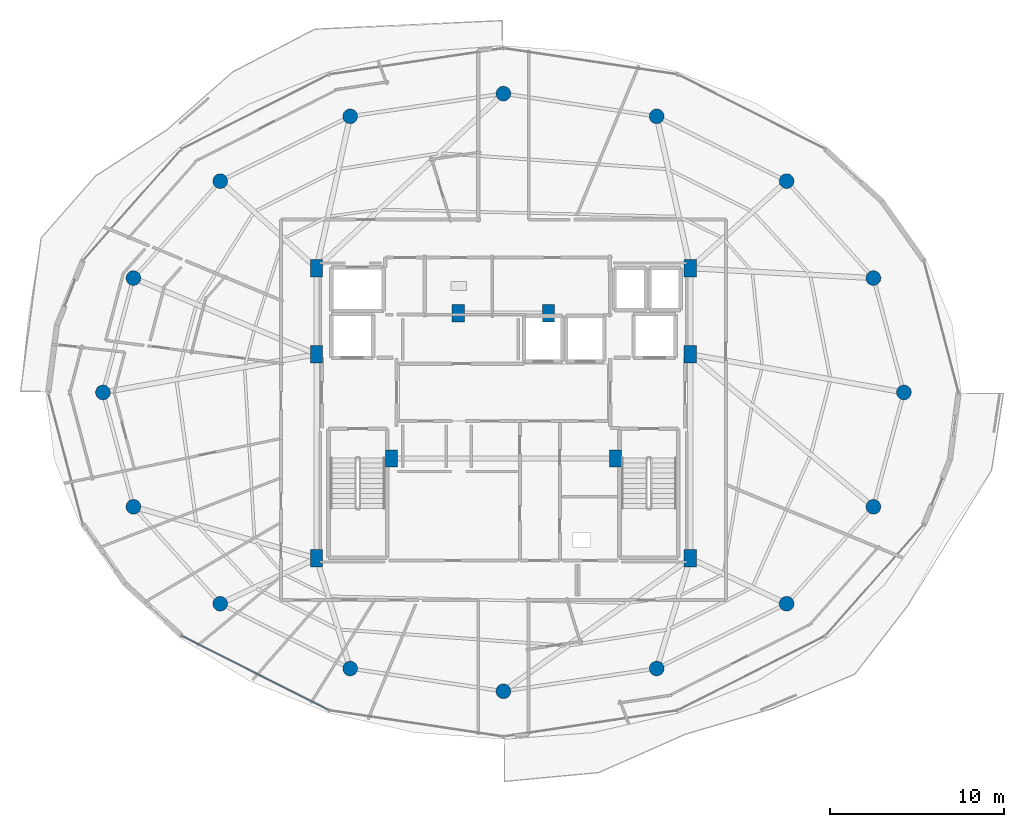
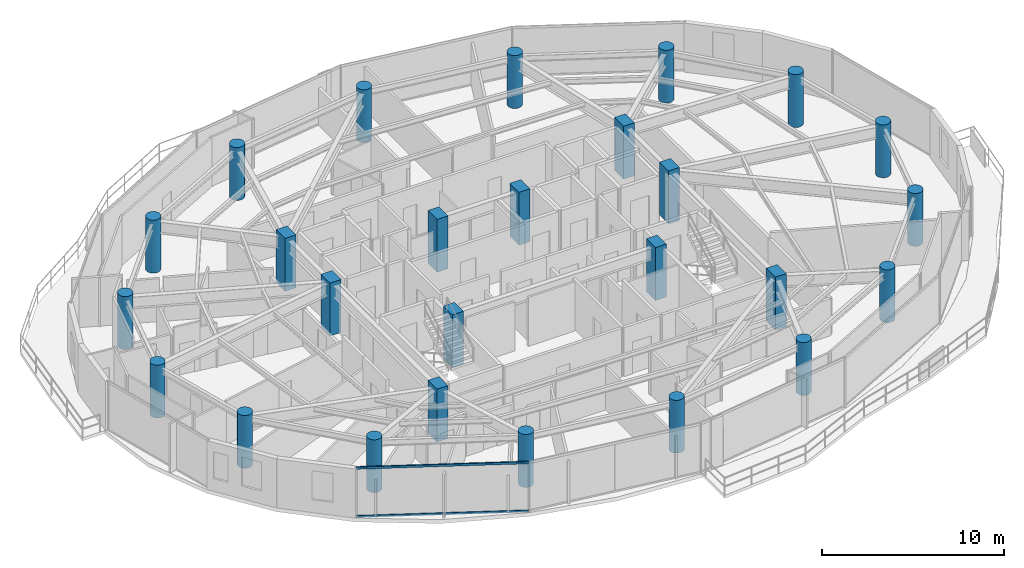
# One storey, part 1 of 30: 26 columns, 2 members, 1 element without a shape of its own.
"""IFC4 building model written with IfcOpenShell, lengths in metres."""

from ifc_helpers import new_model, si_unit, direction, frame, origin, origin_2d, place, context, subcontext, project, spatial, rectangle, hollow_rectangle, circle, extrude, material, material_profile, profile_set, type_object, element, aggregate, save


model = new_model("IFC4")

# Units and contexts
model_context = context("Model", 3, precision=1e-05, world=origin(), true_north=direction((0.0, 1.0)))
body_context = subcontext(model_context, "Body", "Model", "MODEL_VIEW")
ifc_project = project(units=[si_unit("LENGTHUNIT", "METRE"), si_unit("AREAUNIT", "SQUARE_METRE"), si_unit("VOLUMEUNIT", "CUBIC_METRE"), si_unit("PLANEANGLEUNIT", "RADIAN"), si_unit("MASSUNIT", "GRAM", prefix="KILO")], contexts=[model_context])

# Site, building, storey
site_placement = place(None, origin())
site = spatial("IfcSite", under=ifc_project, at=site_placement, CompositionType="ELEMENT")
building_placement = place(site_placement, origin())
building = spatial("IfcBuilding", under=site, at=building_placement, Name="Vorneva Point Tower", CompositionType="ELEMENT")
storey_placement = place(building_placement, frame((0.0, 0.0, 241.35009765625)))
storey = spatial("IfcBuildingStorey", under=building, at=storey_placement, Name="L65", CompositionType="ELEMENT", Elevation=241.35009765625)

# Columns
ifc_material_1 = material(Name="Concrete B50 (C40/50)", Category="concrete")
ifc_material_profile_1 = material_profile(ifc_material_1, circle(Radius=0.425048828125, at=origin_2d()), Name="RC-CIRC 850")
ifc_profile_set_1 = profile_set([ifc_material_profile_1], Name="Concrete B50 (C40/50)")
column_type_1 = type_object("IfcColumnType", Name="COL-RC850C", PredefinedType="COLUMN", material=ifc_profile_set_1)
for number, where, z_axis, x_axis, name in (
    (1, (61.050048828125, 26.0, 0.0), (0.0, 0.0, 1.0), (1.0, 0.0, 0.0), "L65 Perimeter Column P01"),
    (2, (59.29541015625, 32.582275390625, 0.0), (0.0, 0.0, 1.0), (0.923879532511, 0.382683432365, 0.0), "L65 Perimeter Column P02"),
    (3, (54.298828125, 38.162109375, 0.0), (0.0, 0.0, 1.0), (0.707106781187, 0.707106781187, 0.0), "L65 Perimeter Column P03"),
    (4, (46.82080078125, 41.890625, 0.0), (0.0, 0.0, 1.0), (0.382683432365, 0.923879532511, 0.0), "L65 Perimeter Column P04"),
    (5, (38.0, 43.199951171875, 0.0), (0.0, 0.0, 1.0), (0.0, 1.0, 0.0), "L65 Perimeter Column P05"),
    (6, (29.17919921875, 41.890625, 0.0), (0.0, 0.0, 1.0), (-0.382683432365, 0.923879532511, 0.0), "L65 Perimeter Column P06"),
    (7, (21.701171875, 38.162109375, 0.0), (0.0, 0.0, 1.0), (-0.707106781187, 0.707106781187, 0.0), "L65 Perimeter Column P07"),
    (8, (16.70458984375, 32.582275390625, 0.0), (0.0, 0.0, 1.0), (-0.923879532511, 0.382683432365, 0.0), "L65 Perimeter Column P08"),
    (9, (14.949951171875, 26.0, 0.0), (0.0, 0.0, 1.0), (-1.0, 0.0, 0.0), "L65 Perimeter Column P09"),
    (10, (16.70458984375, 19.417724609375, 0.0), (0.0, 0.0, 1.0), (-0.923879532511, -0.382683432365, 0.0), "L65 Perimeter Column P10"),
    (11, (21.701171875, 13.837890625, 0.0), (0.0, 0.0, 1.0), (-0.707106781187, -0.707106781187, 0.0), "L65 Perimeter Column P11"),
    (12, (29.17919921875, 10.109375, 0.0), (0.0, 0.0, 1.0), (-0.382683432365, -0.923879532511, 0.0), "L65 Perimeter Column P12"),
    (13, (38.0, 8.800048828125, 0.0), (0.0, 0.0, 1.0), (0.0, -1.0, 0.0), "L65 Perimeter Column P13"),
    (14, (46.82080078125, 10.109375, 0.0), (0.0, 0.0, 1.0), (0.382683432365, -0.923879532511, 0.0), "L65 Perimeter Column P14"),
    (15, (54.298828125, 13.837890625, 0.0), (0.0, 0.0, 1.0), (0.707106781187, -0.707106781187, 0.0), "L65 Perimeter Column P15"),
    (16, (59.29541015625, 19.417724609375, 0.0), (0.0, 0.0, 1.0), (0.923879532511, -0.382683432365, 0.0), "L65 Perimeter Column P16"),
):
    element("IfcColumn", number, at=place(storey_placement, frame(where, z_axis=z_axis, x_axis=x_axis)), inside=storey, type_object=column_type_1, Name=name, PredefinedType="COLUMN", context=body_context, shape_type="SweptSolid", body=[
        extrude(circle(Radius=0.425048828125, at=origin_2d()), origin(), (0.0, 0.0, 1.0), 3.5498046875),
    ])
ifc_material_profile_2 = material_profile(ifc_material_1, rectangle(XDim=0.699951171875, YDim=1.0, at=origin_2d()), Name="RC-PIL 1000x700")
ifc_profile_set_2 = profile_set([ifc_material_profile_2], Name="Concrete B50 (C40/50)")
column_type_2 = type_object("IfcColumnType", Name="PIL-RC1000x700", PredefinedType="PILASTER", material=ifc_profile_set_2)
for number, where, z_axis, x_axis, name in (
    (17, (27.25, 16.449951171875, 0.0), (0.0, 0.0, 1.0), (1.0, 0.0, 0.0), "L65 Core Pilaster CP1"),
    (18, (27.25, 28.199951171875, 0.0), (0.0, 0.0, 1.0), (1.0, 0.0, 0.0), "L65 Core Pilaster CP2"),
    (19, (27.25, 33.14990234375, 0.0), (0.0, 0.0, 1.0), (1.0, 0.0, 0.0), "L65 Core Pilaster CP3"),
    (20, (31.550048828125, 22.199951171875, 0.0), (0.0, 0.0, 1.0), (1.0, 0.0, 0.0), "L65 Core Pilaster CP4"),
    (21, (48.75, 33.14990234375, 0.0), (0.0, 0.0, 1.0), (1.0, 0.0, 0.0), "L65 Core Pilaster CP5"),
    (22, (48.75, 28.199951171875, 0.0), (0.0, 0.0, 1.0), (1.0, 0.0, 0.0), "L65 Core Pilaster CP6"),
    (23, (48.75, 16.449951171875, 0.0), (0.0, 0.0, 1.0), (1.0, 0.0, 0.0), "L65 Core Pilaster CP7"),
    (24, (44.449951171875, 22.199951171875, 0.0), (0.0, 0.0, 1.0), (1.0, 0.0, 0.0), "L65 Core Pilaster CP8"),
    (25, (35.39990234375, 30.550048828125, 0.0), (0.0, 0.0, 1.0), (1.0, 0.0, 0.0), "L65 Core Pilaster CP9"),
    (26, (40.60009765625, 30.550048828125, 0.0), (0.0, 0.0, 1.0), (1.0, 0.0, 0.0), "L65 Core Pilaster CP10"),
):
    element("IfcColumn", number, at=place(storey_placement, frame(where, z_axis=z_axis, x_axis=x_axis)), inside=storey, type_object=column_type_2, Name=name, PredefinedType="PILASTER", context=body_context, shape_type="SweptSolid", body=[
        extrude(rectangle(XDim=0.699951171875, YDim=1.0, at=origin_2d()), origin(), (0.0, 0.0, 1.0), 3.5498046875),
    ])

# Curtain wall, members
ifc_material_2 = material(Name="Pale anodised aluminium", Category="aluminium")
curtain_wall_type = type_object("IfcCurtainWallType", Name="CW-RES-SYS", PredefinedType="NOTDEFINED", material=ifc_material_2)
curtain_wall_placement = place(storey_placement, origin())
curtain_wall = element("IfcCurtainWall", 27, at=curtain_wall_placement, inside=storey, type_object=curtain_wall_type, Name="L65 Unitised Curtain Wall CW-L65-R04", PredefinedType="NOTDEFINED")
ifc_material_profile_3 = material_profile(ifc_material_2, hollow_rectangle(XDim=0.074951171875, YDim=0.14990234375, WallThickness=0.00390625, at=origin_2d()), Name="AL-TRN 150x75x4")
ifc_profile_set_3 = profile_set([ifc_material_profile_3], Name="Pale anodised aluminium")
member_type = type_object("IfcMemberType", Name="CW-TRN-150", PredefinedType="USERDEFINED", material=ifc_profile_set_3)
member_1_placement = place(storey_placement, frame((19.473876953125, 11.9921875, 0.02001953125), z_axis=(0.892558185815, -0.450932239848, 0.0), x_axis=(0.450932239848, 0.892558185815, 0.0)))
member_1 = element("IfcMember", 28, at=member_1_placement, type_object=member_type, Name="CW-L65-R04 Transom 01.1", ObjectType="TRANSOM", PredefinedType="USERDEFINED", context=body_context, shape_type="SweptSolid", body=[
    extrude(hollow_rectangle(XDim=0.074951171875, YDim=0.14990234375, WallThickness=0.00390625, at=origin_2d()), origin(), (0.0, 0.0, 1.0), 9.52294921875),
])
member_2_placement = place(storey_placement, frame((19.473876953125, 11.9921875, 3.27001953125), z_axis=(0.892558185815, -0.450932239848, 0.0), x_axis=(0.450932239848, 0.892558185815, 0.0)))
member_2 = element("IfcMember", 29, at=member_2_placement, type_object=member_type, Name="CW-L65-R04 Transom 01.2", ObjectType="TRANSOM", PredefinedType="USERDEFINED", context=body_context, shape_type="SweptSolid", body=[
    extrude(hollow_rectangle(XDim=0.074951171875, YDim=0.14990234375, WallThickness=0.00390625, at=origin_2d()), origin(), (0.0, 0.0, 1.0), 9.52294921875),
])
aggregate(curtain_wall, [member_1, member_2])

save(model, "model.ifc")
